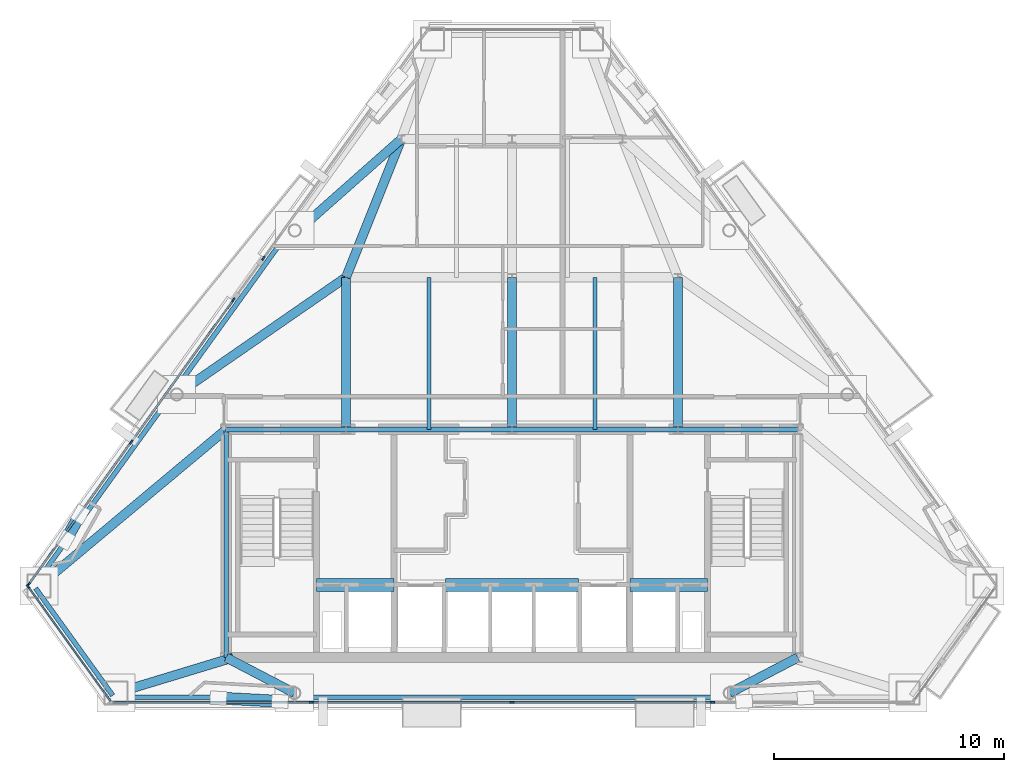
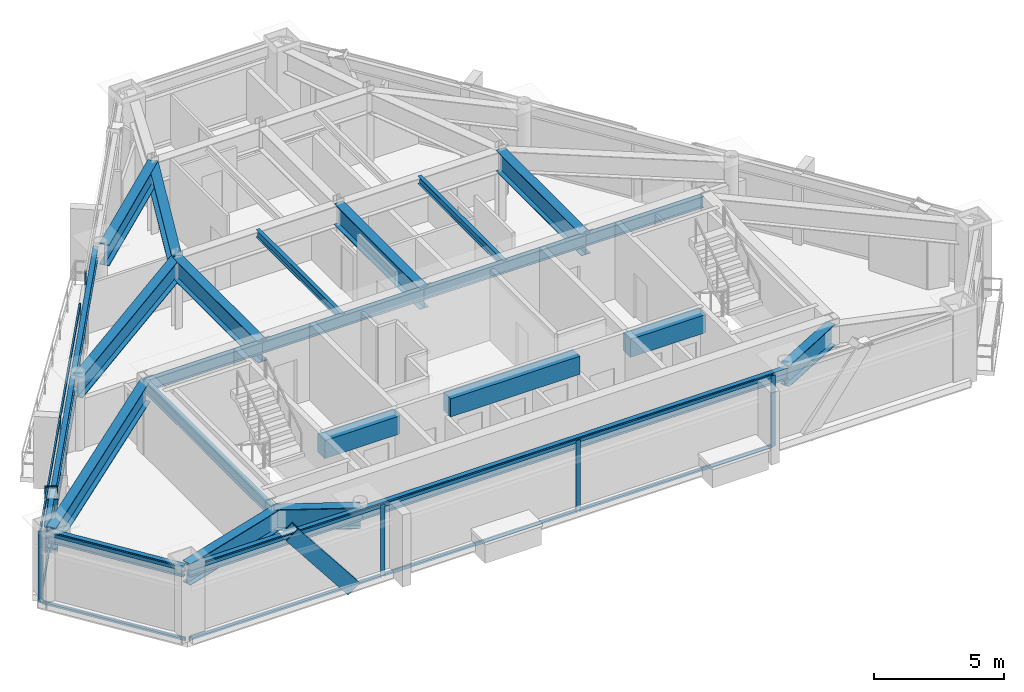
# One storey, part 3 of 11: 25 beams, 22 members, 4 elements without a shape of their own.
"""IFC4 building model written with IfcOpenShell, lengths in metres."""

from ifc_helpers import new_model, si_unit, direction, frame, origin, origin_2d, place, context, subcontext, project, spatial, rectangle, hollow_rectangle, i_section, extrude, material, layer, layer_set, material_profile, profile_set, type_object, element, aggregate, save


model = new_model("IFC4")

# Units and contexts
model_context = context("Model", 3, precision=1e-05, world=origin(), true_north=direction((0.0, 1.0)))
body_context = subcontext(model_context, "Body", "Model", "MODEL_VIEW")
ifc_project = project(units=[si_unit("LENGTHUNIT", "METRE"), si_unit("AREAUNIT", "SQUARE_METRE"), si_unit("VOLUMEUNIT", "CUBIC_METRE"), si_unit("PLANEANGLEUNIT", "RADIAN"), si_unit("MASSUNIT", "GRAM", prefix="KILO")], contexts=[model_context])

# Site, building, storey
site_placement = place(None, origin())
site = spatial("IfcSite", under=ifc_project, at=site_placement, CompositionType="ELEMENT")
building_placement = place(site_placement, origin())
building = spatial("IfcBuilding", under=site, at=building_placement, Name="Talgorran Terracotta Tower", CompositionType="ELEMENT")
storey_placement = place(building_placement, frame((0.0, 0.0, 200.10009765625)))
storey = spatial("IfcBuildingStorey", under=building, at=storey_placement, Name="L52", CompositionType="ELEMENT", Elevation=200.10009765625)

# Beams
ifc_material_1 = material(Name="Steel Grade 350 (350L0)", Category="steel")
ifc_material_profile_1 = material_profile(ifc_material_1, i_section(OverallWidth=0.39990234375, OverallDepth=1.0, WebThickness=0.01611328125, FlangeThickness=0.031005859375, at=origin_2d()), Name="1000WB296")
ifc_profile_set_1 = profile_set([ifc_material_profile_1], Name="Steel Grade 350 (350L0)")
beam_type_1 = type_object("IfcBeamType", Name="BM_1000WB296", PredefinedType="BEAM", material=ifc_profile_set_1)
for number, where, z_axis, x_axis, name in (
    (1, (-9.44873046875, -15.64111328125, 2.844970703125), (-0.886427890303, 0.462866714394, 0.0), (-0.462866714394, -0.886427890303, 0.0), "L52 South-West Core Tie Beam"),
    (2, (12.39990234375, -14.10009765625, 2.844970703125), (-0.886427890303, -0.462866714394, 0.0), (0.462866714394, -0.886427890303, 0.0), "L52 South-East Core Tie Beam"),
):
    element("IfcBeam", number, at=place(storey_placement, frame(where, z_axis=z_axis, x_axis=x_axis)), inside=storey, type_object=beam_type_1, Name=name, PredefinedType="BEAM", context=body_context, shape_type="SweptSolid", body=[
        extrude(i_section(OverallWidth=0.39990234375, OverallDepth=1.0, WebThickness=0.01611328125, FlangeThickness=0.031005859375, at=origin_2d()), origin(), (0.0, 0.0, 1.0), 3.329345703125),
    ])
beam_1_placement = place(storey_placement, frame((-17.1796875, -15.64111328125, 2.844970703125), z_axis=(0.956933067037, 0.290308637851, 0.0), x_axis=(-0.290308637851, 0.956933067037, 0.0)))
element("IfcBeam", 3, at=beam_1_placement, inside=storey, type_object=beam_type_1, Name="L52 Perimeter Step Girder 2", PredefinedType="BEAM", context=body_context, shape_type="SweptSolid", body=[
    extrude(i_section(OverallWidth=0.39990234375, OverallDepth=1.0, WebThickness=0.01611328125, FlangeThickness=0.031005859375, at=origin_2d()), origin(), (0.0, 0.0, 1.0), 5.30810546875),
])
for number, where, z_axis, x_axis, name in (
    (4, (-7.199951171875, -4.199951171875, 2.844970703125), (0.0, 1.0, 0.0), (-1.0, 0.0, 0.0), "L52 Floor Girder G01"),
    (5, (0.0, -4.199951171875, 2.844970703125), (0.0, 1.0, 0.0), (-1.0, 0.0, 0.0), "L52 Floor Girder G02"),
    (6, (7.199951171875, -4.199951171875, 2.844970703125), (0.0, 1.0, 0.0), (-1.0, 0.0, 0.0), "L52 Floor Girder G03"),
):
    element("IfcBeam", number, at=place(storey_placement, frame(where, z_axis=z_axis, x_axis=x_axis)), inside=storey, type_object=beam_type_1, Name=name, PredefinedType="BEAM", context=body_context, shape_type="SweptSolid", body=[
        extrude(i_section(OverallWidth=0.39990234375, OverallDepth=1.0, WebThickness=0.01611328125, FlangeThickness=0.031005859375, at=origin_2d()), origin(), (0.0, 0.0, 1.0), 6.599853515625),
    ])
beam_2_placement = place(storey_placement, frame((-7.199951171875, 2.39990234375, 2.844970703125), z_axis=(-0.822270856927, -0.569096334419, 0.0), x_axis=(0.569096334419, -0.822270856927, 0.0)))
element("IfcBeam", 7, at=beam_2_placement, inside=storey, type_object=beam_type_1, Name="L52 Floor Girder G06", PredefinedType="BEAM", context=body_context, shape_type="SweptSolid", body=[
    extrude(i_section(OverallWidth=0.39990234375, OverallDepth=1.0, WebThickness=0.01611328125, FlangeThickness=0.031005859375, at=origin_2d()), origin(), (0.0, 0.0, 1.0), 8.937255859375),
])
beam_3_placement = place(storey_placement, frame((-7.199951171875, 2.39990234375, 2.844970703125), z_axis=(0.371377648723, 0.928481901832, 0.0), x_axis=(-0.928481901832, 0.371377648723, 0.0)))
element("IfcBeam", 8, at=beam_3_placement, inside=storey, type_object=beam_type_1, Name="L52 Floor Girder G08", PredefinedType="BEAM", context=body_context, shape_type="SweptSolid", body=[
    extrude(i_section(OverallWidth=0.39990234375, OverallDepth=1.0, WebThickness=0.01611328125, FlangeThickness=0.031005859375, at=origin_2d()), origin(), (0.0, 0.0, 1.0), 6.462158203125),
])
beam_4_placement = place(storey_placement, frame((-4.800048828125, 8.39990234375, 2.844970703125), z_axis=(-0.748742442486, -0.662861037338, 0.0), x_axis=(0.662861037338, -0.748742442486, 0.0)))
element("IfcBeam", 9, at=beam_4_placement, inside=storey, type_object=beam_type_1, Name="L52 Floor Girder G13", PredefinedType="BEAM", context=body_context, shape_type="SweptSolid", body=[
    extrude(i_section(OverallWidth=0.39990234375, OverallDepth=1.0, WebThickness=0.01611328125, FlangeThickness=0.031005859375, at=origin_2d()), origin(), (0.0, 0.0, 1.0), 5.92431640625),
])
beam_5_placement = place(storey_placement, frame((-12.39990234375, -4.199951171875, 2.844970703125), z_axis=(-0.767197947413, -0.641410406436, 0.0), x_axis=(0.641410406436, -0.767197947413, 0.0)))
element("IfcBeam", 10, at=beam_5_placement, inside=storey, type_object=beam_type_1, Name="L52 Floor Girder G17", PredefinedType="BEAM", context=body_context, shape_type="SweptSolid", body=[
    extrude(i_section(OverallWidth=0.39990234375, OverallDepth=1.0, WebThickness=0.01611328125, FlangeThickness=0.031005859375, at=origin_2d()), origin(), (0.0, 0.0, 1.0), 10.589599609375),
])
ifc_material_2 = material(Name="Concrete C50/60", Category="concrete")
ifc_material_profile_2 = material_profile(ifc_material_2, rectangle(XDim=0.550048828125, YDim=0.85009765625, at=origin_2d()), Name="RCCB550X850")
ifc_profile_set_2 = profile_set([ifc_material_profile_2], Name="Concrete C50/60")
beam_type_2 = type_object("IfcBeamType", Name="BM_CB_550X850", PredefinedType="LINTEL", material=ifc_profile_set_2)
beam_6_placement = place(storey_placement, frame((-8.47998046875, -10.949951171875, 2.919921875), z_axis=(1.0, 0.0, 0.0), x_axis=(0.0, 1.0, 0.0)))
element("IfcBeam", 11, at=beam_6_placement, inside=storey, type_object=beam_type_2, Name="L52 Core Shear-Wall Coupling Beam CB1", PredefinedType="LINTEL", context=body_context, shape_type="SweptSolid", body=[
    extrude(rectangle(XDim=0.550048828125, YDim=0.85009765625, at=origin_2d()), origin(), (0.0, 0.0, 1.0), 3.35986328125),
])
beam_7_placement = place(storey_placement, frame((-2.8798828125, -10.949951171875, 2.919921875), z_axis=(1.0, 0.0, 0.0), x_axis=(0.0, 1.0, 0.0)))
element("IfcBeam", 12, at=beam_7_placement, inside=storey, type_object=beam_type_2, Name="L52 Core Shear-Wall Coupling Beam CB2", PredefinedType="LINTEL", context=body_context, shape_type="SweptSolid", body=[
    extrude(rectangle(XDim=0.550048828125, YDim=0.85009765625, at=origin_2d()), origin(), (0.0, 0.0, 1.0), 5.759765625),
])
beam_8_placement = place(storey_placement, frame((5.1201171875, -10.949951171875, 2.919921875), z_axis=(1.0, 0.0, 0.0), x_axis=(0.0, 1.0, 0.0)))
element("IfcBeam", 13, at=beam_8_placement, inside=storey, type_object=beam_type_2, Name="L52 Core Shear-Wall Coupling Beam CB3", PredefinedType="LINTEL", context=body_context, shape_type="SweptSolid", body=[
    extrude(rectangle(XDim=0.550048828125, YDim=0.85009765625, at=origin_2d()), origin(), (0.0, 0.0, 1.0), 3.35986328125),
])
ifc_material_3 = material(Name="Steel S355 (300PLUS)", Category="steel")
ifc_material_profile_3 = material_profile(ifc_material_3, i_section(OverallWidth=0.17138671875, OverallDepth=0.355712890625, WebThickness=0.00732421875, FlangeThickness=0.011474609375, at=origin_2d()), Name="360UB50.7")
ifc_profile_set_3 = profile_set([ifc_material_profile_3], Name="Steel S355 (300PLUS)")
beam_type_3 = type_object("IfcBeamType", Name="BM_JS_360UB51", PredefinedType="JOIST", material=ifc_profile_set_3)
for number, where, z_axis, x_axis, name in (
    (14, (-3.60009765625, -4.199951171875, 3.1669921875), (0.0, 1.0, 0.0), (-1.0, 0.0, 0.0), "L52 Secondary Joist J01"),
    (15, (3.60009765625, -4.199951171875, 3.1669921875), (0.0, 1.0, 0.0), (-1.0, 0.0, 0.0), "L52 Secondary Joist J02"),
):
    element("IfcBeam", number, at=place(storey_placement, frame(where, z_axis=z_axis, x_axis=x_axis)), inside=storey, type_object=beam_type_3, Name=name, PredefinedType="JOIST", context=body_context, shape_type="SweptSolid", body=[
        extrude(i_section(OverallWidth=0.17138671875, OverallDepth=0.355712890625, WebThickness=0.00732421875, FlangeThickness=0.011474609375, at=origin_2d()), origin(), (0.0, 0.0, 1.0), 6.599853515625),
    ])
ifc_material_profile_4 = material_profile(ifc_material_3, i_section(OverallWidth=0.209228515625, OverallDepth=0.532958984375, WebThickness=0.01025390625, FlangeThickness=0.015625, at=origin_2d()), Name="530UB92.4")
ifc_profile_set_4 = profile_set([ifc_material_profile_4], Name="Steel S355 (300PLUS)")
beam_type_4 = type_object("IfcBeamType", Name="BM_SP_530UB92", PredefinedType="SPANDREL", material=ifc_profile_set_4)
beam_9_placement = place(storey_placement, frame((-20.670166015625, -11.09716796875, 3.078369140625), z_axis=(0.583989111458, -0.811761490648, 0.0), x_axis=(0.811761490648, 0.583989111458, 0.0)))
element("IfcBeam", 16, at=beam_9_placement, inside=storey, type_object=beam_type_4, Name="L52 Perimeter Spandrel Beam MC1-MC2", PredefinedType="SPANDREL", context=body_context, shape_type="SweptSolid", body=[
    extrude(i_section(OverallWidth=0.209228515625, OverallDepth=0.532958984375, WebThickness=0.01025390625, FlangeThickness=0.015625, at=origin_2d()), origin(), (0.0, 0.0, 1.0), 5.72705078125),
])
beam_10_placement = place(storey_placement, frame((-17.1796875, -15.821044921875, 3.078369140625), z_axis=(1.0, 0.0, 0.0), x_axis=(0.0, 1.0, 0.0)))
element("IfcBeam", 17, at=beam_10_placement, inside=storey, type_object=beam_type_4, Name="L52 Perimeter Spandrel Beam MC2-FC1", PredefinedType="SPANDREL", context=body_context, shape_type="SweptSolid", body=[
    extrude(i_section(OverallWidth=0.209228515625, OverallDepth=0.532958984375, WebThickness=0.01025390625, FlangeThickness=0.015625, at=origin_2d()), origin(), (0.0, 0.0, 1.0), 7.73095703125),
])
beam_11_placement = place(storey_placement, frame((-9.44873046875, -15.821044921875, 3.078369140625), z_axis=(1.0, 0.0, 0.0), x_axis=(0.0, 1.0, 0.0)))
element("IfcBeam", 18, at=beam_11_placement, inside=storey, type_object=beam_type_4, Name="L52 Perimeter Spandrel Beam FC1-FC2", PredefinedType="SPANDREL", context=body_context, shape_type="SweptSolid", body=[
    extrude(i_section(OverallWidth=0.209228515625, OverallDepth=0.532958984375, WebThickness=0.01025390625, FlangeThickness=0.015625, at=origin_2d()), origin(), (0.0, 0.0, 1.0), 18.8974609375),
])
beam_12_placement = place(storey_placement, frame((-9.573486328125, 4.5380859375, 3.078369140625), z_axis=(-0.583976142064, -0.811770820799, 0.0), x_axis=(0.811770820799, -0.583976142064, 0.0)))
element("IfcBeam", 19, at=beam_12_placement, inside=storey, type_object=beam_type_4, Name="L52 Perimeter Spandrel Beam FC5-FC6", PredefinedType="SPANDREL", context=body_context, shape_type="SweptSolid", body=[
    extrude(i_section(OverallWidth=0.209228515625, OverallDepth=0.532958984375, WebThickness=0.01025390625, FlangeThickness=0.015625, at=origin_2d()), origin(), (0.0, 0.0, 1.0), 8.770263671875),
])
beam_13_placement = place(storey_placement, frame((-14.695068359375, -2.581298828125, 3.078369140625), z_axis=(-0.583984097587, -0.811765097651, 0.0), x_axis=(0.811765097651, -0.583984097587, 0.0)))
element("IfcBeam", 20, at=beam_13_placement, inside=storey, type_object=beam_type_4, Name="L52 Perimeter Spandrel Beam FC6-MC1", PredefinedType="SPANDREL", context=body_context, shape_type="SweptSolid", body=[
    extrude(i_section(OverallWidth=0.209228515625, OverallDepth=0.532958984375, WebThickness=0.01025390625, FlangeThickness=0.015625, at=origin_2d()), origin(), (0.0, 0.0, 1.0), 10.231689453125),
])
beam_14_placement = place(storey_placement, frame((-12.39990234375, -14.10009765625, 3.078369140625), z_axis=(0.0, 1.0, 0.0), x_axis=(-1.0, 0.0, 0.0)))
element("IfcBeam", 21, at=beam_14_placement, inside=storey, type_object=beam_type_4, Name="L52 Core Frame Beam CFW", PredefinedType="SPANDREL", context=body_context, shape_type="SweptSolid", body=[
    extrude(i_section(OverallWidth=0.209228515625, OverallDepth=0.532958984375, WebThickness=0.01025390625, FlangeThickness=0.015625, at=origin_2d()), origin(), (0.0, 0.0, 1.0), 9.900146484375),
])
beam_15_placement = place(storey_placement, frame((-12.39990234375, -4.199951171875, 3.078369140625), z_axis=(1.0, 0.0, 0.0), x_axis=(0.0, 1.0, 0.0)))
element("IfcBeam", 22, at=beam_15_placement, inside=storey, type_object=beam_type_4, Name="L52 Core Frame Beam CFN1", PredefinedType="SPANDREL", context=body_context, shape_type="SweptSolid", body=[
    extrude(i_section(OverallWidth=0.209228515625, OverallDepth=0.532958984375, WebThickness=0.01025390625, FlangeThickness=0.015625, at=origin_2d()), origin(), (0.0, 0.0, 1.0), 5.199951171875),
])
for number, where, z_axis, x_axis, name in (
    (23, (-7.199951171875, -4.199951171875, 3.078369140625), (1.0, 0.0, 0.0), (0.0, 1.0, 0.0), "L52 Core Frame Beam CFN2"),
    (24, (0.0, -4.199951171875, 3.078369140625), (1.0, 0.0, 0.0), (0.0, 1.0, 0.0), "L52 Core Frame Beam CFN3"),
):
    element("IfcBeam", number, at=place(storey_placement, frame(where, z_axis=z_axis, x_axis=x_axis)), inside=storey, type_object=beam_type_4, Name=name, PredefinedType="SPANDREL", context=body_context, shape_type="SweptSolid", body=[
        extrude(i_section(OverallWidth=0.209228515625, OverallDepth=0.532958984375, WebThickness=0.01025390625, FlangeThickness=0.015625, at=origin_2d()), origin(), (0.0, 0.0, 1.0), 7.199951171875),
    ])
beam_16_placement = place(storey_placement, frame((7.199951171875, -4.199951171875, 3.078369140625), z_axis=(1.0, 0.0, 0.0), x_axis=(0.0, 1.0, 0.0)))
element("IfcBeam", 25, at=beam_16_placement, inside=storey, type_object=beam_type_4, Name="L52 Core Frame Beam CFN4", PredefinedType="SPANDREL", context=body_context, shape_type="SweptSolid", body=[
    extrude(i_section(OverallWidth=0.209228515625, OverallDepth=0.532958984375, WebThickness=0.01025390625, FlangeThickness=0.015625, at=origin_2d()), origin(), (0.0, 0.0, 1.0), 5.199951171875),
])

# Members
ifc_material_profile_5 = material_profile(ifc_material_1, hollow_rectangle(XDim=0.52001953125, YDim=0.659912109375, WallThickness=0.034912109375, at=origin_2d()), Name="WBOX660X520X35")
ifc_profile_set_5 = profile_set([ifc_material_profile_5], Name="Steel Grade 350 (350L0)")
member_type_1 = type_object("IfcMemberType", Name="MB_MEGA_660", PredefinedType="BRACE", material=ifc_profile_set_5)
member_1_placement = place(storey_placement, frame((-10.0712890625, -16.001220703125, -0.025146484375), z_axis=(-0.617715371926, 0.033448047213, 0.785690109028), x_axis=(-0.054068785357, -0.998537213353, 0.0)))
element("IfcMember", 26, at=member_1_placement, inside=storey, type_object=member_type_1, Name="L52 Exterior Face Mega-Brace MB-3 (SWF)", PredefinedType="BRACE", context=body_context, shape_type="SweptSolid", body=[
    extrude(hollow_rectangle(XDim=0.52001953125, YDim=0.659912109375, WallThickness=0.034912109375, at=origin_2d()), origin(), (0.0, 0.0, 1.0), 4.321044921875),
])
member_2_placement = place(storey_placement, frame((-18.73193359375, -7.884521484375, -0.025146484375), z_axis=(-0.174766688017, -0.309404255747, 0.934732909063), x_axis=(0.870700202717, -0.49181414883, 0.0)))
element("IfcMember", 27, at=member_2_placement, inside=storey, type_object=member_type_1, Name="L52 Exterior Face Mega-Brace MB-3 (NWL)", PredefinedType="BRACE", context=body_context, shape_type="SweptSolid", body=[
    extrude(hollow_rectangle(XDim=0.52001953125, YDim=0.659912109375, WallThickness=0.034912109375, at=origin_2d()), origin(), (0.0, 0.0, 1.0), 3.632080078125),
])

# Curtain wall, member
ifc_material_4 = material(Name="High-Wind Unitised Glazing", Category="glass")
ifc_layer = layer(ifc_material_4, 0.2099609375, Name="CW_SYS3_RES_HIGH")
ifc_layer_set = layer_set([ifc_layer], Name="High-Wind Unitised Glazing")
curtain_wall_type = type_object("IfcCurtainWallType", Name="CW_SYS3_RES_HIGH", PredefinedType="NOTDEFINED", material=ifc_layer_set)
curtain_wall_1_placement = place(storey_placement, origin())
curtain_wall_1 = element("IfcCurtainWall", 28, at=curtain_wall_1_placement, inside=storey, type_object=curtain_wall_type, Name="CW-L52-F0", PredefinedType="NOTDEFINED")
ifc_material_5 = material(Name="Architectural Aluminium 6063-T6", Category="aluminium")
ifc_material_profile_6 = material_profile(ifc_material_5, rectangle(XDim=0.070068359375, YDim=0.199951171875, at=origin_2d()), Name="CWM70X200")
ifc_profile_set_6 = profile_set([ifc_material_profile_6], Name="Architectural Aluminium 6063-T6")
member_type_2 = type_object("IfcMemberType", Name="MUL_70X200", PredefinedType="MULLION", material=ifc_profile_set_6)
member_3_placement = place(storey_placement, frame((-20.99658203125, -11.0205078125, 0.0), z_axis=(0.0, 0.0, 1.0), x_axis=(0.811769090011, 0.583978547982, 0.0)))
member_3 = element("IfcMember", 29, at=member_3_placement, type_object=member_type_2, Name="CW-L52-0 mullion 1", PredefinedType="MULLION", context=body_context, shape_type="SweptSolid", body=[
    extrude(rectangle(XDim=0.070068359375, YDim=0.199951171875, at=origin_2d()), origin(), (0.0, 0.0, 1.0), 3.344970703125),
])

# Curtain wall, members
curtain_wall_2_placement = place(storey_placement, origin())
curtain_wall_2 = element("IfcCurtainWall", 30, at=curtain_wall_2_placement, inside=storey, type_object=curtain_wall_type, Name="CW-L52-F1", PredefinedType="NOTDEFINED")
member_4_placement = place(storey_placement, frame((-8.6923828125, -16.041015625, 0.0), z_axis=(0.0, 0.0, 1.0), x_axis=(0.0, 1.0, 0.0)))
member_4 = element("IfcMember", 31, at=member_4_placement, type_object=member_type_2, Name="CW-L52-1 mullion 2", PredefinedType="MULLION", context=body_context, shape_type="SweptSolid", body=[
    extrude(rectangle(XDim=0.070068359375, YDim=0.199951171875, at=origin_2d()), origin(), (0.0, 0.0, 1.0), 3.344970703125),
])
member_5_placement = place(storey_placement, frame((0.0, -16.041015625, 0.0), z_axis=(0.0, 0.0, 1.0), x_axis=(0.0, 1.0, 0.0)))
member_5 = element("IfcMember", 32, at=member_5_placement, type_object=member_type_2, Name="CW-L52-1 mullion 3", PredefinedType="MULLION", context=body_context, shape_type="SweptSolid", body=[
    extrude(rectangle(XDim=0.070068359375, YDim=0.199951171875, at=origin_2d()), origin(), (0.0, 0.0, 1.0), 3.344970703125),
])
member_6_placement = place(storey_placement, frame((8.6923828125, -16.041015625, 0.0), z_axis=(0.0, 0.0, 1.0), x_axis=(0.0, 1.0, 0.0)))
member_6 = element("IfcMember", 33, at=member_6_placement, type_object=member_type_2, Name="CW-L52-1 mullion 4", PredefinedType="MULLION", context=body_context, shape_type="SweptSolid", body=[
    extrude(rectangle(XDim=0.070068359375, YDim=0.199951171875, at=origin_2d()), origin(), (0.0, 0.0, 1.0), 3.344970703125),
])

# Curtain wall, member
curtain_wall_3_placement = place(storey_placement, origin())
curtain_wall_3 = element("IfcCurtainWall", 34, at=curtain_wall_3_placement, inside=storey, type_object=curtain_wall_type, Name="CW-L52-F60", PredefinedType="NOTDEFINED")
member_7_placement = place(storey_placement, frame((-10.786865234375, 3.228271484375, 0.0), z_axis=(0.0, 0.0, 1.0), x_axis=(0.811763841153, -0.583985844174, 0.0)))
member_7 = element("IfcMember", 35, at=member_7_placement, type_object=member_type_2, Name="CW-L52-60 mullion 2", PredefinedType="MULLION", context=body_context, shape_type="SweptSolid", body=[
    extrude(rectangle(XDim=0.070068359375, YDim=0.199951171875, at=origin_2d()), origin(), (0.0, 0.0, 1.0), 3.344970703125),
])
aggregate(curtain_wall_3, [member_7])

# Curtain wall, members
curtain_wall_4_placement = place(storey_placement, origin())
curtain_wall_4 = element("IfcCurtainWall", 36, at=curtain_wall_4_placement, inside=storey, type_object=curtain_wall_type, Name="CW-L52-F61", PredefinedType="NOTDEFINED")
member_8_placement = place(storey_placement, frame((-12.089111328125, 1.41796875, 0.0), z_axis=(0.0, 0.0, 1.0), x_axis=(0.811766732851, -0.583981824578, 0.0)))
member_8 = element("IfcMember", 37, at=member_8_placement, type_object=member_type_2, Name="CW-L52-61 mullion 1", PredefinedType="MULLION", context=body_context, shape_type="SweptSolid", body=[
    extrude(rectangle(XDim=0.070068359375, YDim=0.199951171875, at=origin_2d()), origin(), (0.0, 0.0, 1.0), 3.344970703125),
])
member_9_placement = place(storey_placement, frame((-16.531005859375, -4.756591796875, 0.0), z_axis=(0.0, 0.0, 1.0), x_axis=(0.811766732851, -0.583981824578, 0.0)))
member_9 = element("IfcMember", 38, at=member_9_placement, type_object=member_type_2, Name="CW-L52-61 mullion 2", PredefinedType="MULLION", context=body_context, shape_type="SweptSolid", body=[
    extrude(rectangle(XDim=0.070068359375, YDim=0.199951171875, at=origin_2d()), origin(), (0.0, 0.0, 1.0), 3.344970703125),
])
member_10_placement = place(storey_placement, frame((-20.97314453125, -10.93115234375, 0.0), z_axis=(0.0, 0.0, 1.0), x_axis=(0.811766732851, -0.583981824578, 0.0)))
member_10 = element("IfcMember", 39, at=member_10_placement, type_object=member_type_2, Name="CW-L52-61 mullion 3", PredefinedType="MULLION", context=body_context, shape_type="SweptSolid", body=[
    extrude(rectangle(XDim=0.070068359375, YDim=0.199951171875, at=origin_2d()), origin(), (0.0, 0.0, 1.0), 3.344970703125),
])

# Member
ifc_material_profile_7 = material_profile(ifc_material_5, rectangle(XDim=0.070068359375, YDim=0.159912109375, at=origin_2d()), Name="CWT70X160")
ifc_profile_set_7 = profile_set([ifc_material_profile_7], Name="Architectural Aluminium 6063-T6")
member_type_3 = type_object("IfcMemberType", Name="TRN_70X160", PredefinedType="USERDEFINED", material=ifc_profile_set_7)
member_11_placement = place(storey_placement, frame((-20.97607421875, -11.048828125, 0.034912109375), z_axis=(0.583973578627, -0.811772664892, 0.0), x_axis=(0.811772664892, 0.583973578627, 0.0)))
member_11 = element("IfcMember", 40, at=member_11_placement, type_object=member_type_3, Name="CW-L52-0 transom 1.1", ObjectType="TRANSOM", PredefinedType="USERDEFINED", context=body_context, shape_type="SweptSolid", body=[
    extrude(rectangle(XDim=0.070068359375, YDim=0.159912109375, at=origin_2d()), origin(), (0.0, 0.0, 1.0), 6.080078125),
])

member_12_placement = place(storey_placement, frame((-20.97607421875, -11.048828125, 3.309814453125), z_axis=(0.583973578627, -0.811772664892, 0.0), x_axis=(0.811772664892, 0.583973578627, 0.0)))
member_12 = element("IfcMember", 41, at=member_12_placement, type_object=member_type_3, Name="CW-L52-0 transom 1.2", ObjectType="TRANSOM", PredefinedType="USERDEFINED", context=body_context, shape_type="SweptSolid", body=[
    extrude(rectangle(XDim=0.070068359375, YDim=0.159912109375, at=origin_2d()), origin(), (0.0, 0.0, 1.0), 6.080078125),
])

aggregate(curtain_wall_1, [member_3, member_11, member_12])

member_13_placement = place(storey_placement, frame((-17.314697265625, -16.041015625, 0.034912109375), z_axis=(1.0, 0.0, 0.0), x_axis=(0.0, 1.0, 0.0)))
member_13 = element("IfcMember", 42, at=member_13_placement, type_object=member_type_3, Name="CW-L52-1 transom 1.1", ObjectType="TRANSOM", PredefinedType="USERDEFINED", context=body_context, shape_type="SweptSolid", body=[
    extrude(rectangle(XDim=0.070068359375, YDim=0.159912109375, at=origin_2d()), origin(), (0.0, 0.0, 1.0), 8.58740234375),
])

member_14_placement = place(storey_placement, frame((-17.314697265625, -16.041015625, 3.309814453125), z_axis=(1.0, 0.0, 0.0), x_axis=(0.0, 1.0, 0.0)))
member_14 = element("IfcMember", 43, at=member_14_placement, type_object=member_type_3, Name="CW-L52-1 transom 1.2", ObjectType="TRANSOM", PredefinedType="USERDEFINED", context=body_context, shape_type="SweptSolid", body=[
    extrude(rectangle(XDim=0.070068359375, YDim=0.159912109375, at=origin_2d()), origin(), (0.0, 0.0, 1.0), 8.58740234375),
])

member_15_placement = place(storey_placement, frame((-8.657470703125, -16.041015625, 0.034912109375), z_axis=(1.0, 0.0, 0.0), x_axis=(0.0, 1.0, 0.0)))
member_15 = element("IfcMember", 44, at=member_15_placement, type_object=member_type_3, Name="CW-L52-1 transom 2.1", ObjectType="TRANSOM", PredefinedType="USERDEFINED", context=body_context, shape_type="SweptSolid", body=[
    extrude(rectangle(XDim=0.070068359375, YDim=0.159912109375, at=origin_2d()), origin(), (0.0, 0.0, 1.0), 8.62255859375),
])

member_16_placement = place(storey_placement, frame((-8.657470703125, -16.041015625, 3.309814453125), z_axis=(1.0, 0.0, 0.0), x_axis=(0.0, 1.0, 0.0)))
member_16 = element("IfcMember", 45, at=member_16_placement, type_object=member_type_3, Name="CW-L52-1 transom 2.2", ObjectType="TRANSOM", PredefinedType="USERDEFINED", context=body_context, shape_type="SweptSolid", body=[
    extrude(rectangle(XDim=0.070068359375, YDim=0.159912109375, at=origin_2d()), origin(), (0.0, 0.0, 1.0), 8.62255859375),
])

member_17_placement = place(storey_placement, frame((0.034912109375, -16.041015625, 0.034912109375), z_axis=(1.0, 0.0, 0.0), x_axis=(0.0, 1.0, 0.0)))
member_17 = element("IfcMember", 46, at=member_17_placement, type_object=member_type_3, Name="CW-L52-1 transom 3.1", ObjectType="TRANSOM", PredefinedType="USERDEFINED", context=body_context, shape_type="SweptSolid", body=[
    extrude(rectangle(XDim=0.070068359375, YDim=0.159912109375, at=origin_2d()), origin(), (0.0, 0.0, 1.0), 8.62255859375),
])

member_18_placement = place(storey_placement, frame((0.034912109375, -16.041015625, 3.309814453125), z_axis=(1.0, 0.0, 0.0), x_axis=(0.0, 1.0, 0.0)))
member_18 = element("IfcMember", 47, at=member_18_placement, type_object=member_type_3, Name="CW-L52-1 transom 3.2", ObjectType="TRANSOM", PredefinedType="USERDEFINED", context=body_context, shape_type="SweptSolid", body=[
    extrude(rectangle(XDim=0.070068359375, YDim=0.159912109375, at=origin_2d()), origin(), (0.0, 0.0, 1.0), 8.62255859375),
])

aggregate(curtain_wall_2, [member_4, member_5, member_6, member_13, member_14, member_15, member_16, member_17, member_18])

member_19_placement = place(storey_placement, frame((-12.109375, 1.3896484375, 0.034912109375), z_axis=(-0.583989775121, -0.811761013202, 0.0), x_axis=(0.811761013202, -0.583989775121, 0.0)))
member_19 = element("IfcMember", 48, at=member_19_placement, type_object=member_type_3, Name="CW-L52-61 transom 1.1", ObjectType="TRANSOM", PredefinedType="USERDEFINED", context=body_context, shape_type="SweptSolid", body=[
    extrude(rectangle(XDim=0.070068359375, YDim=0.159912109375, at=origin_2d()), origin(), (0.0, 0.0, 1.0), 7.536376953125),
])

member_20_placement = place(storey_placement, frame((-12.109375, 1.3896484375, 3.309814453125), z_axis=(-0.583989775121, -0.811761013202, 0.0), x_axis=(0.811761013202, -0.583989775121, 0.0)))
member_20 = element("IfcMember", 49, at=member_20_placement, type_object=member_type_3, Name="CW-L52-61 transom 1.2", ObjectType="TRANSOM", PredefinedType="USERDEFINED", context=body_context, shape_type="SweptSolid", body=[
    extrude(rectangle(XDim=0.070068359375, YDim=0.159912109375, at=origin_2d()), origin(), (0.0, 0.0, 1.0), 7.536376953125),
])

member_21_placement = place(storey_placement, frame((-16.551513671875, -4.784912109375, 0.034912109375), z_axis=(-0.583974418108, -0.811772060985, 0.0), x_axis=(0.811772060985, -0.583974418108, 0.0)))
member_21 = element("IfcMember", 50, at=member_21_placement, type_object=member_type_3, Name="CW-L52-61 transom 2.1", ObjectType="TRANSOM", PredefinedType="USERDEFINED", context=body_context, shape_type="SweptSolid", body=[
    extrude(rectangle(XDim=0.070068359375, YDim=0.159912109375, at=origin_2d()), origin(), (0.0, 0.0, 1.0), 7.53662109375),
])

member_22_placement = place(storey_placement, frame((-16.551513671875, -4.784912109375, 3.309814453125), z_axis=(-0.583974418108, -0.811772060985, 0.0), x_axis=(0.811772060985, -0.583974418108, 0.0)))
member_22 = element("IfcMember", 51, at=member_22_placement, type_object=member_type_3, Name="CW-L52-61 transom 2.2", ObjectType="TRANSOM", PredefinedType="USERDEFINED", context=body_context, shape_type="SweptSolid", body=[
    extrude(rectangle(XDim=0.070068359375, YDim=0.159912109375, at=origin_2d()), origin(), (0.0, 0.0, 1.0), 7.53662109375),
])

aggregate(curtain_wall_4, [member_8, member_9, member_10, member_19, member_20, member_21, member_22])

save(model, "model.ifc")
